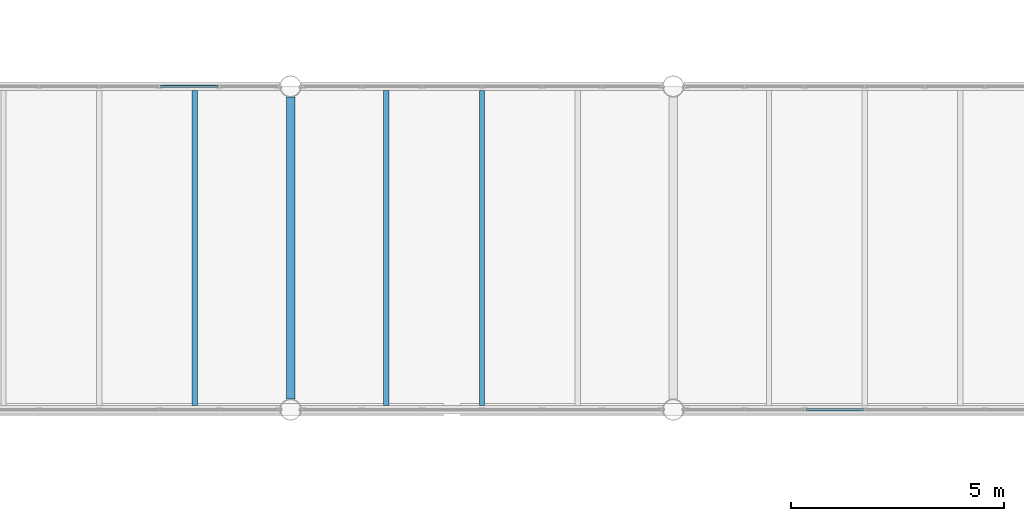
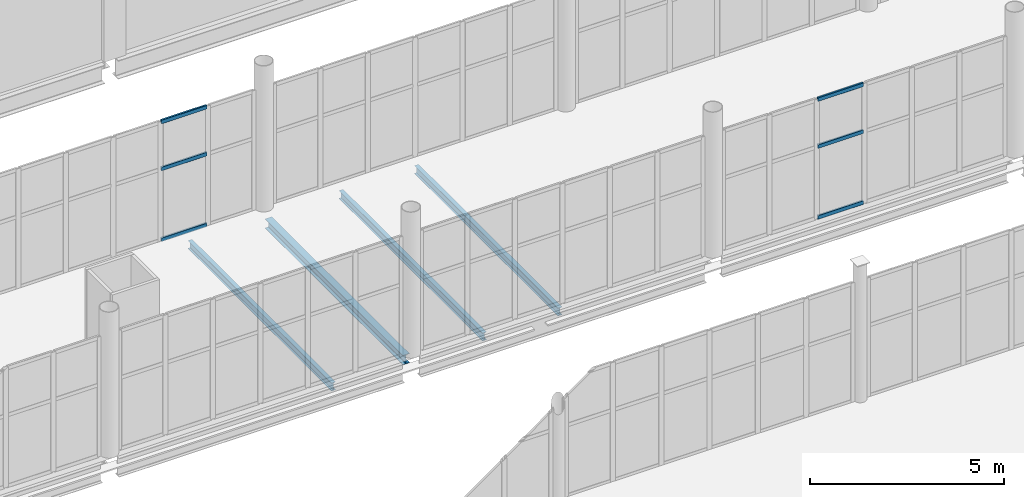
# One storey, part 111 of 172: 6 members, 4 beams, 2 elements without a shape of their own.
"""IFC4 building model written with IfcOpenShell, lengths in metres."""

from ifc_helpers import new_model, si_unit, direction, frame, origin, origin_2d, place, context, subcontext, project, spatial, hollow_rectangle, i_section, extrude, material, material_profile, profile_set, type_object, element, aggregate, save


model = new_model("IFC4")

# Units and contexts
model_context = context("Model", 3, precision=1e-05, world=origin(), true_north=direction((0.0, 1.0)))
body_context = subcontext(model_context, "Body", "Model", "MODEL_VIEW")
ifc_project = project(units=[si_unit("LENGTHUNIT", "METRE"), si_unit("AREAUNIT", "SQUARE_METRE"), si_unit("VOLUMEUNIT", "CUBIC_METRE"), si_unit("PLANEANGLEUNIT", "RADIAN"), si_unit("MASSUNIT", "GRAM", prefix="KILO")], contexts=[model_context])

# Site, building, storey
site_placement = place(None, origin())
site = spatial("IfcSite", under=ifc_project, at=site_placement, CompositionType="ELEMENT")
building_placement = place(site_placement, origin())
building = spatial("IfcBuilding", under=site, at=building_placement, Name="Shengluoqiao Park Theatre", CompositionType="ELEMENT")
storey_placement = place(building_placement, frame((0.0, 0.0, 5.39990234375)))
storey = spatial("IfcBuildingStorey", under=building, at=storey_placement, Name="L01", CompositionType="ELEMENT", Elevation=5.39990234375)

# Curtain wall, members
ifc_material_1 = material(Name="Aluminium 6063-T6", Category="aluminium")
curtain_wall_type = type_object("IfcCurtainWallType", Name="ENV-CW-BRIDGE", PredefinedType="NOTDEFINED", material=ifc_material_1)
curtain_wall_1_placement = place(storey_placement, origin())
curtain_wall_1 = element("IfcCurtainWall", 1, at=curtain_wall_1_placement, inside=storey, type_object=curtain_wall_type, Name="L01 Curtain Wall CWX-L01-0097", PredefinedType="NOTDEFINED")
ifc_material_profile_1 = material_profile(ifc_material_1, hollow_rectangle(XDim=0.06005859375, YDim=0.1201171875, WallThickness=0.00390625, InnerFilletRadius=0.00390625, OuterFilletRadius=0.008056640625, at=origin_2d()), Name="ALU TRANSOM 120x60x4")
ifc_profile_set_1 = profile_set([ifc_material_profile_1], Name="Aluminium 6063-T6")
member_type = type_object("IfcMemberType", Name="ENV-TRN-120", PredefinedType="USERDEFINED", material=ifc_profile_set_1)
member_1_placement = place(storey_placement, frame((142.51611328125, 68.39990234375, 0.030029296875), z_axis=(1.0, 0.0, 0.0), x_axis=(0.0, 1.0, 0.0)))
member_1 = element("IfcMember", 2, at=member_1_placement, type_object=member_type, Name="CW-03 transom 3.1", ObjectType="TRANSOM", PredefinedType="USERDEFINED", context=body_context, shape_type="SweptSolid", body=[
    extrude(hollow_rectangle(XDim=0.06005859375, YDim=0.1201171875, WallThickness=0.00390625, InnerFilletRadius=0.00390625, OuterFilletRadius=0.008056640625, at=origin_2d()), origin(), (0.0, 0.0, 1.0), 1.35400390625),
])
member_2_placement = place(storey_placement, frame((142.51611328125, 68.39990234375, 2.26318359375), z_axis=(1.0, 0.0, 0.0), x_axis=(0.0, 1.0, 0.0)))
member_2 = element("IfcMember", 3, at=member_2_placement, type_object=member_type, Name="CW-03 transom 3.2", ObjectType="TRANSOM", PredefinedType="USERDEFINED", context=body_context, shape_type="SweptSolid", body=[
    extrude(hollow_rectangle(XDim=0.06005859375, YDim=0.1201171875, WallThickness=0.00390625, InnerFilletRadius=0.00390625, OuterFilletRadius=0.008056640625, at=origin_2d()), origin(), (0.0, 0.0, 1.0), 1.35400390625),
])
member_3_placement = place(storey_placement, frame((142.51611328125, 68.39990234375, 3.7421875), z_axis=(1.0, 0.0, 0.0), x_axis=(0.0, 1.0, 0.0)))
member_3 = element("IfcMember", 4, at=member_3_placement, type_object=member_type, Name="CW-03 transom 3.3", ObjectType="TRANSOM", PredefinedType="USERDEFINED", context=body_context, shape_type="SweptSolid", body=[
    extrude(hollow_rectangle(XDim=0.06005859375, YDim=0.1201171875, WallThickness=0.00390625, InnerFilletRadius=0.00390625, OuterFilletRadius=0.008056640625, at=origin_2d()), origin(), (0.0, 0.0, 1.0), 1.35400390625),
])
aggregate(curtain_wall_1, [member_1, member_2, member_3])

curtain_wall_2_placement = place(storey_placement, origin())
curtain_wall_2 = element("IfcCurtainWall", 5, at=curtain_wall_2_placement, inside=storey, type_object=curtain_wall_type, Name="L01 Curtain Wall CWX-L01-0103", PredefinedType="NOTDEFINED")
member_4_placement = place(storey_placement, frame((127.343994140625, 76.0, 0.030029296875), z_axis=(1.0, 0.0, 0.0), x_axis=(0.0, 1.0, 0.0)))
member_4 = element("IfcMember", 6, at=member_4_placement, type_object=member_type, Name="CW-03 transom 5.1", ObjectType="TRANSOM", PredefinedType="USERDEFINED", context=body_context, shape_type="SweptSolid", body=[
    extrude(hollow_rectangle(XDim=0.06005859375, YDim=0.1201171875, WallThickness=0.00390625, InnerFilletRadius=0.00390625, OuterFilletRadius=0.008056640625, at=origin_2d()), origin(), (0.0, 0.0, 1.0), 1.35400390625),
])
member_5_placement = place(storey_placement, frame((127.343994140625, 76.0, 2.26318359375), z_axis=(1.0, 0.0, 0.0), x_axis=(0.0, 1.0, 0.0)))
member_5 = element("IfcMember", 7, at=member_5_placement, type_object=member_type, Name="CW-03 transom 5.2", ObjectType="TRANSOM", PredefinedType="USERDEFINED", context=body_context, shape_type="SweptSolid", body=[
    extrude(hollow_rectangle(XDim=0.06005859375, YDim=0.1201171875, WallThickness=0.00390625, InnerFilletRadius=0.00390625, OuterFilletRadius=0.008056640625, at=origin_2d()), origin(), (0.0, 0.0, 1.0), 1.35400390625),
])
member_6_placement = place(storey_placement, frame((127.343994140625, 76.0, 3.7421875), z_axis=(1.0, 0.0, 0.0), x_axis=(0.0, 1.0, 0.0)))
member_6 = element("IfcMember", 8, at=member_6_placement, type_object=member_type, Name="CW-03 transom 5.3", ObjectType="TRANSOM", PredefinedType="USERDEFINED", context=body_context, shape_type="SweptSolid", body=[
    extrude(hollow_rectangle(XDim=0.06005859375, YDim=0.1201171875, WallThickness=0.00390625, InnerFilletRadius=0.00390625, OuterFilletRadius=0.008056640625, at=origin_2d()), origin(), (0.0, 0.0, 1.0), 1.35400390625),
])
aggregate(curtain_wall_2, [member_4, member_5, member_6])

# Beams
ifc_material_2 = material(Name="Steel Q355", Category="steel")
ifc_material_profile_2 = material_profile(ifc_material_2, i_section(OverallWidth=0.199951171875, OverallDepth=0.2939453125, WebThickness=0.008056640625, FlangeThickness=0.011962890625, FilletRadius=0.01611328125, at=origin_2d()), Name="HM 294x200x8x12")
ifc_profile_set_2 = profile_set([ifc_material_profile_2], Name="Steel Q355")
beam_type_1 = type_object("IfcBeamType", Name="STR-BM-G-HM294", PredefinedType="BEAM", material=ifc_profile_set_2)
beam_placement = place(storey_placement, frame((130.39990234375, 68.64794921875, -0.35693359375), z_axis=(0.0, 1.0, 0.0), x_axis=(-1.0, 0.0, 0.0)))
element("IfcBeam", 9, at=beam_placement, inside=storey, type_object=beam_type_1, Name="L01 Transverse Girder 00533", PredefinedType="BEAM", context=body_context, shape_type="SweptSolid", body=[
    extrude(i_section(OverallWidth=0.199951171875, OverallDepth=0.2939453125, WebThickness=0.008056640625, FlangeThickness=0.011962890625, FilletRadius=0.01611328125, at=origin_2d()), origin(), (0.0, 0.0, 1.0), 7.10400390625),
])
ifc_material_profile_3 = material_profile(ifc_material_2, i_section(OverallWidth=0.125, OverallDepth=0.25, WebThickness=0.006103515625, FlangeThickness=0.009033203125, FilletRadius=0.010009765625, at=origin_2d()), Name="HN 250x125x6x9")
ifc_profile_set_3 = profile_set([ifc_material_profile_3], Name="Steel Q355")
beam_type_2 = type_object("IfcBeamType", Name="STR-BM-J-HN250", PredefinedType="JOIST", material=ifc_profile_set_3)
for number, where, z_axis, x_axis, name in (
    (10, (128.14990234375, 68.494384765625, -0.3349609375), (0.0, 1.0, 0.0), (-1.0, 0.0, 0.0), "L01 Composite Joist 00551"),
    (11, (132.64990234375, 68.494384765625, -0.3349609375), (0.0, 1.0, 0.0), (-1.0, 0.0, 0.0), "L01 Composite Joist 00552"),
    (12, (134.89990234375, 68.494384765625, -0.3349609375), (0.0, 1.0, 0.0), (-1.0, 0.0, 0.0), "L01 Composite Joist 00553"),
):
    element("IfcBeam", number, at=place(storey_placement, frame(where, z_axis=z_axis, x_axis=x_axis)), inside=storey, type_object=beam_type_2, Name=name, PredefinedType="JOIST", context=body_context, shape_type="SweptSolid", body=[
        extrude(i_section(OverallWidth=0.125, OverallDepth=0.25, WebThickness=0.006103515625, FlangeThickness=0.009033203125, FilletRadius=0.010009765625, at=origin_2d()), origin(), (0.0, 0.0, 1.0), 7.4111328125),
    ])

save(model, "model.ifc")
